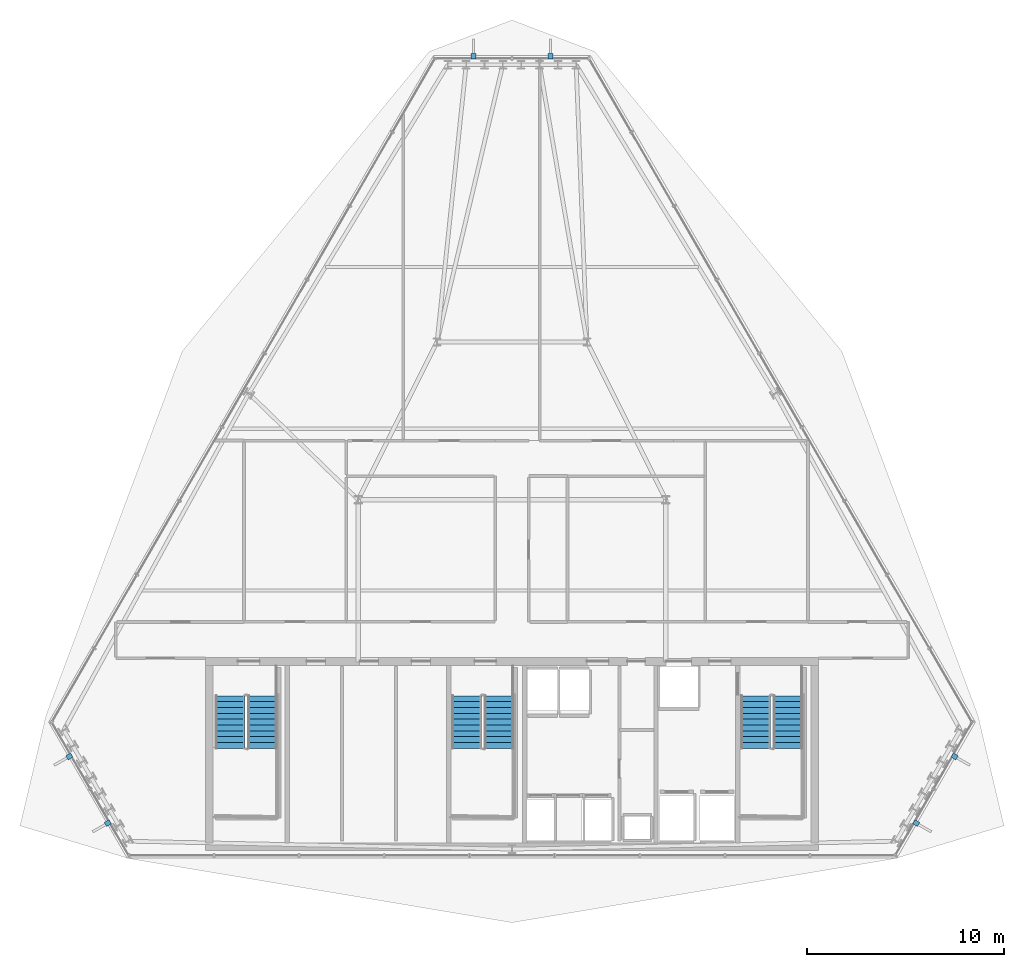
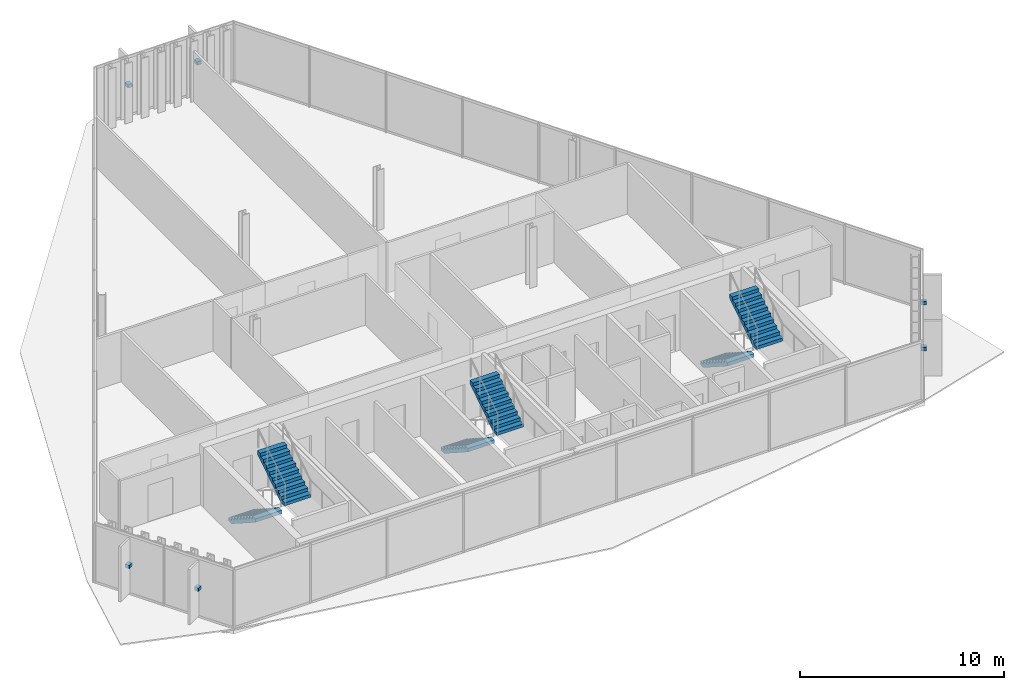
# One storey, part 31 of 37: 6 discrete accessories, 6 stair flights, 3 elements without a shape of their own.
"""IFC4 building model written with IfcOpenShell, lengths in metres."""

from ifc_helpers import new_model, si_unit, direction, frame, origin, origin_2d, place, context, subcontext, project, spatial, polyline, rectangle, outline, extrude, material, type_object, element, aggregate, save


model = new_model("IFC4")

# Units and contexts
model_context = context("Model", 3, precision=1e-05, world=origin(), true_north=direction((0.0, 1.0)))
body_context = subcontext(model_context, "Body", "Model", "MODEL_VIEW")
ifc_project = project(units=[si_unit("LENGTHUNIT", "METRE"), si_unit("AREAUNIT", "SQUARE_METRE"), si_unit("VOLUMEUNIT", "CUBIC_METRE"), si_unit("PLANEANGLEUNIT", "RADIAN"), si_unit("MASSUNIT", "GRAM", prefix="KILO")], contexts=[model_context])

# Site, building, storey
site_placement = place(None, origin())
site = spatial("IfcSite", under=ifc_project, at=site_placement, CompositionType="ELEMENT")
building_placement = place(site_placement, origin())
building = spatial("IfcBuilding", under=site, at=building_placement, Name="Ndaravel Arena Tower", CompositionType="ELEMENT")
storey_placement = place(building_placement, frame((0.0, 0.0, 218.0)))
storey = spatial("IfcBuildingStorey", under=building, at=storey_placement, Name="L52", CompositionType="ELEMENT", Elevation=218.0)

# Stair, stair flights
ifc_material_1 = material(Name="Concrete C40/50", Category="concrete")
stair_type = type_object("IfcStairType", Name="STAIR-CORE-HT", PredefinedType="HALF_TURN_STAIR", material=ifc_material_1)
stair_1_placement = place(storey_placement, origin())
stair_1 = element("IfcStair", 1, at=stair_1_placement, inside=storey, type_object=stair_type, Name="L52 ST-1", PredefinedType="HALF_TURN_STAIR")
ifc_material_2 = material(Name="Concrete C40/50", Category="concrete")
stair_flight_type = type_object("IfcStairFlightType", Name="SFLIGHT-CORE-1680", PredefinedType="STRAIGHT", material=ifc_material_2)
stair_flight_1_placement = place(storey_placement, frame((27.699951171875, 13.25, 0.0), z_axis=(0.0, 0.0, 1.0), x_axis=(0.0, -1.0, 0.0)))
stair_flight_1 = element("IfcStairFlight", 2, at=stair_flight_1_placement, type_object=stair_flight_type, Name="ST-1 flight 1", NumberOfRisers=10, NumberOfTreads=9, PredefinedType="STRAIGHT", RiserHeight=0.19, TreadLength=0.295, context=body_context, shape_type="SweptSolid", body=[
    extrude(outline(polyline([(0.0, 0.0), (0.0, 0.18994140625), (0.294921875, 0.18994140625), (0.294921875, 0.3798828125), (0.590087890625, 0.3798828125), (0.590087890625, 0.570068359375), (0.885009765625, 0.570068359375), (0.885009765625, 0.760009765625), (1.179931640625, 0.760009765625), (1.179931640625, 0.949951171875), (1.47509765625, 0.949951171875), (1.47509765625, 1.139892578125), (1.77001953125, 1.139892578125), (1.77001953125, 1.330078125), (2.06494140625, 1.330078125), (2.06494140625, 1.52001953125), (2.360107421875, 1.52001953125), (2.360107421875, 1.7099609375), (2.655029296875, 1.7099609375), (2.655029296875, 1.89990234375), (2.655029296875, 1.49609375), (0.332275390625, 0.0), (0.0, 0.0)])), frame((0.0, 0.75, 0.0), z_axis=(0.0, -1.0, 0.0), x_axis=(1.0, 0.0, 0.0)), (0.0, 0.0, 1.0), 1.5),
])
stair_flight_2_placement = place(storey_placement, frame((29.340087890625, 10.594970703125, 1.89990234375), z_axis=(0.0, 0.0, 1.0), x_axis=(0.0, 1.0, 0.0)))
stair_flight_2 = element("IfcStairFlight", 3, at=stair_flight_2_placement, type_object=stair_flight_type, Name="ST-1 flight 2", NumberOfRisers=10, NumberOfTreads=9, PredefinedType="STRAIGHT", RiserHeight=0.19, TreadLength=0.295, context=body_context, shape_type="SweptSolid", body=[
    extrude(outline(polyline([(0.0, 0.0), (0.0, 0.18994140625), (0.294921875, 0.18994140625), (0.294921875, 0.3798828125), (0.590087890625, 0.3798828125), (0.590087890625, 0.570068359375), (0.885009765625, 0.570068359375), (0.885009765625, 0.760009765625), (1.179931640625, 0.760009765625), (1.179931640625, 0.949951171875), (1.47509765625, 0.949951171875), (1.47509765625, 1.139892578125), (1.77001953125, 1.139892578125), (1.77001953125, 1.330078125), (2.06494140625, 1.330078125), (2.06494140625, 1.52001953125), (2.360107421875, 1.52001953125), (2.360107421875, 1.7099609375), (2.655029296875, 1.7099609375), (2.655029296875, 1.89990234375), (2.655029296875, 1.49609375), (0.332275390625, 0.0), (0.0, 0.0)])), frame((0.0, 0.75, 0.0), z_axis=(0.0, -1.0, 0.0), x_axis=(1.0, 0.0, 0.0)), (0.0, 0.0, 1.0), 1.5),
])
aggregate(stair_1, [stair_flight_1, stair_flight_2])

stair_2_placement = place(storey_placement, origin())
stair_2 = element("IfcStair", 4, at=stair_2_placement, inside=storey, type_object=stair_type, Name="L52 ST-2", PredefinedType="HALF_TURN_STAIR")
stair_flight_3_placement = place(storey_placement, frame((39.699951171875, 13.25, 0.0), z_axis=(0.0, 0.0, 1.0), x_axis=(0.0, -1.0, 0.0)))
stair_flight_3 = element("IfcStairFlight", 5, at=stair_flight_3_placement, type_object=stair_flight_type, Name="ST-2 flight 1", NumberOfRisers=10, NumberOfTreads=9, PredefinedType="STRAIGHT", RiserHeight=0.19, TreadLength=0.295, context=body_context, shape_type="SweptSolid", body=[
    extrude(outline(polyline([(0.0, 0.0), (0.0, 0.18994140625), (0.294921875, 0.18994140625), (0.294921875, 0.3798828125), (0.590087890625, 0.3798828125), (0.590087890625, 0.570068359375), (0.885009765625, 0.570068359375), (0.885009765625, 0.760009765625), (1.179931640625, 0.760009765625), (1.179931640625, 0.949951171875), (1.47509765625, 0.949951171875), (1.47509765625, 1.139892578125), (1.77001953125, 1.139892578125), (1.77001953125, 1.330078125), (2.06494140625, 1.330078125), (2.06494140625, 1.52001953125), (2.360107421875, 1.52001953125), (2.360107421875, 1.7099609375), (2.655029296875, 1.7099609375), (2.655029296875, 1.89990234375), (2.655029296875, 1.49609375), (0.332275390625, 0.0), (0.0, 0.0)])), frame((0.0, 0.75, 0.0), z_axis=(0.0, -1.0, 0.0), x_axis=(1.0, 0.0, 0.0)), (0.0, 0.0, 1.0), 1.5),
])
stair_flight_4_placement = place(storey_placement, frame((41.340087890625, 10.594970703125, 1.89990234375), z_axis=(0.0, 0.0, 1.0), x_axis=(0.0, 1.0, 0.0)))
stair_flight_4 = element("IfcStairFlight", 6, at=stair_flight_4_placement, type_object=stair_flight_type, Name="ST-2 flight 2", NumberOfRisers=10, NumberOfTreads=9, PredefinedType="STRAIGHT", RiserHeight=0.19, TreadLength=0.295, context=body_context, shape_type="SweptSolid", body=[
    extrude(outline(polyline([(0.0, 0.0), (0.0, 0.18994140625), (0.294921875, 0.18994140625), (0.294921875, 0.3798828125), (0.590087890625, 0.3798828125), (0.590087890625, 0.570068359375), (0.885009765625, 0.570068359375), (0.885009765625, 0.760009765625), (1.179931640625, 0.760009765625), (1.179931640625, 0.949951171875), (1.47509765625, 0.949951171875), (1.47509765625, 1.139892578125), (1.77001953125, 1.139892578125), (1.77001953125, 1.330078125), (2.06494140625, 1.330078125), (2.06494140625, 1.52001953125), (2.360107421875, 1.52001953125), (2.360107421875, 1.7099609375), (2.655029296875, 1.7099609375), (2.655029296875, 1.89990234375), (2.655029296875, 1.49609375), (0.332275390625, 0.0), (0.0, 0.0)])), frame((0.0, 0.75, 0.0), z_axis=(0.0, -1.0, 0.0), x_axis=(1.0, 0.0, 0.0)), (0.0, 0.0, 1.0), 1.5),
])
aggregate(stair_2, [stair_flight_3, stair_flight_4])

stair_3_placement = place(storey_placement, origin())
stair_3 = element("IfcStair", 7, at=stair_3_placement, inside=storey, type_object=stair_type, Name="L52 ST-3", PredefinedType="HALF_TURN_STAIR")
stair_flight_5_placement = place(storey_placement, frame((54.35009765625, 13.25, 0.0), z_axis=(0.0, 0.0, 1.0), x_axis=(0.0, -1.0, 0.0)))
stair_flight_5 = element("IfcStairFlight", 8, at=stair_flight_5_placement, type_object=stair_flight_type, Name="ST-3 flight 1", NumberOfRisers=10, NumberOfTreads=9, PredefinedType="STRAIGHT", RiserHeight=0.19, TreadLength=0.295, context=body_context, shape_type="SweptSolid", body=[
    extrude(outline(polyline([(0.0, 0.0), (0.0, 0.18994140625), (0.294921875, 0.18994140625), (0.294921875, 0.3798828125), (0.590087890625, 0.3798828125), (0.590087890625, 0.570068359375), (0.885009765625, 0.570068359375), (0.885009765625, 0.760009765625), (1.179931640625, 0.760009765625), (1.179931640625, 0.949951171875), (1.47509765625, 0.949951171875), (1.47509765625, 1.139892578125), (1.77001953125, 1.139892578125), (1.77001953125, 1.330078125), (2.06494140625, 1.330078125), (2.06494140625, 1.52001953125), (2.360107421875, 1.52001953125), (2.360107421875, 1.7099609375), (2.655029296875, 1.7099609375), (2.655029296875, 1.89990234375), (2.655029296875, 1.49609375), (0.332275390625, 0.0), (0.0, 0.0)])), frame((0.0, 0.75, 0.0), z_axis=(0.0, -1.0, 0.0), x_axis=(1.0, 0.0, 0.0)), (0.0, 0.0, 1.0), 1.5),
])
stair_flight_6_placement = place(storey_placement, frame((55.989990234375, 10.594970703125, 1.89990234375), z_axis=(0.0, 0.0, 1.0), x_axis=(0.0, 1.0, 0.0)))
stair_flight_6 = element("IfcStairFlight", 9, at=stair_flight_6_placement, type_object=stair_flight_type, Name="ST-3 flight 2", NumberOfRisers=10, NumberOfTreads=9, PredefinedType="STRAIGHT", RiserHeight=0.19, TreadLength=0.295, context=body_context, shape_type="SweptSolid", body=[
    extrude(outline(polyline([(0.0, 0.0), (0.0, 0.18994140625), (0.294921875, 0.18994140625), (0.294921875, 0.3798828125), (0.590087890625, 0.3798828125), (0.590087890625, 0.570068359375), (0.885009765625, 0.570068359375), (0.885009765625, 0.760009765625), (1.179931640625, 0.760009765625), (1.179931640625, 0.949951171875), (1.47509765625, 0.949951171875), (1.47509765625, 1.139892578125), (1.77001953125, 1.139892578125), (1.77001953125, 1.330078125), (2.06494140625, 1.330078125), (2.06494140625, 1.52001953125), (2.360107421875, 1.52001953125), (2.360107421875, 1.7099609375), (2.655029296875, 1.7099609375), (2.655029296875, 1.89990234375), (2.655029296875, 1.49609375), (0.332275390625, 0.0), (0.0, 0.0)])), frame((0.0, 0.75, 0.0), z_axis=(0.0, -1.0, 0.0), x_axis=(1.0, 0.0, 0.0)), (0.0, 0.0, 1.0), 1.5),
])
aggregate(stair_3, [stair_flight_5, stair_flight_6])

# Discrete accessories
ifc_material_3 = material(Name="Steel S355", Category="steel")
discrete_accessory_type = type_object("IfcDiscreteAccessoryType", Name="ACC-BRACKET-FIN", PredefinedType="BRACKET", material=ifc_material_3)
for number, where, z_axis, x_axis, name in (
    (10, (62.495361328125, 6.799560546875, 1.68994140625), (0.0, 0.0, 1.0), (0.866025403784, -0.5, 0.0), "L52 Mazeras Stone Solar Fin E2.1 Bracket"),
    (11, (64.4462890625, 10.1787109375, 1.68994140625), (0.0, 0.0, 1.0), (0.866025403784, -0.5, 0.0), "L52 Mazeras Stone Solar Fin E2.2 Bracket"),
    (12, (43.950927734375, 45.677734375, 1.68994140625), (0.0, 0.0, 1.0), (0.0, 1.0, 0.0), "L52 Mazeras Stone Solar Fin E4.1 Bracket"),
    (13, (40.049072265625, 45.677734375, 1.68994140625), (0.0, 0.0, 1.0), (0.0, 1.0, 0.0), "L52 Mazeras Stone Solar Fin E4.2 Bracket"),
    (14, (19.5537109375, 10.1787109375, 1.68994140625), (0.0, 0.0, 1.0), (-0.866025403784, -0.5, 0.0), "L52 Mazeras Stone Solar Fin E6.1 Bracket"),
    (15, (21.504638671875, 6.799560546875, 1.68994140625), (0.0, 0.0, 1.0), (-0.866025403784, -0.5, 0.0), "L52 Mazeras Stone Solar Fin E6.2 Bracket"),
):
    element("IfcDiscreteAccessory", number, at=place(storey_placement, frame(where, z_axis=z_axis, x_axis=x_axis)), inside=storey, type_object=discrete_accessory_type, Name=name, PredefinedType="BRACKET", context=body_context, shape_type="SweptSolid", body=[
        extrude(rectangle(XDim=0.280029296875, YDim=0.239990234375, at=origin_2d()), origin(), (0.0, 0.0, 1.0), 0.199951171875),
    ])

save(model, "model.ifc")
